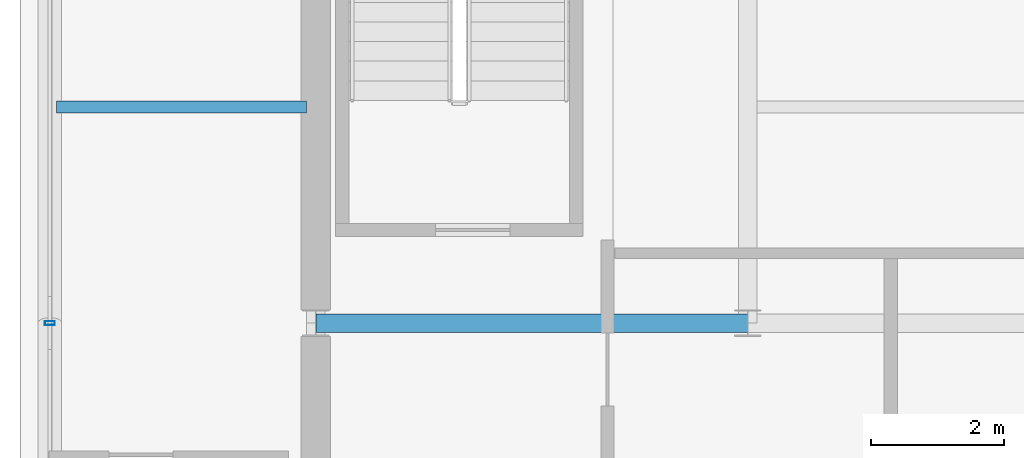
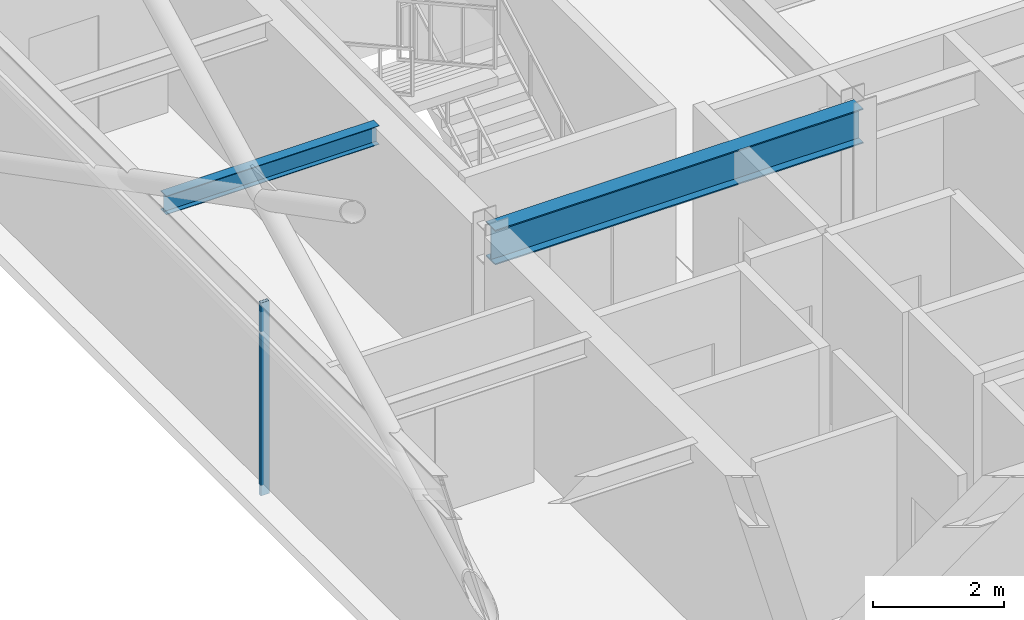
# One storey, part 10 of 28: 2 beams, 1 member, 1 element without a shape of its own.
"""IFC4 building model written with IfcOpenShell, lengths in metres."""

from ifc_helpers import new_model, si_unit, direction, frame, origin, origin_2d, place, context, subcontext, project, spatial, hollow_rectangle, i_section, extrude, material, layer, layer_set, material_profile, profile_set, type_object, element, aggregate, save


model = new_model("IFC4")

# Units and contexts
model_context = context("Model", 3, precision=1e-05, world=origin(), true_north=direction((0.0, 1.0)))
body_context = subcontext(model_context, "Body", "Model", "MODEL_VIEW")
ifc_project = project(units=[si_unit("LENGTHUNIT", "METRE"), si_unit("AREAUNIT", "SQUARE_METRE"), si_unit("VOLUMEUNIT", "CUBIC_METRE"), si_unit("PLANEANGLEUNIT", "RADIAN"), si_unit("MASSUNIT", "GRAM", prefix="KILO")], contexts=[model_context])

# Site, building, storey
site_placement = place(None, origin())
site = spatial("IfcSite", under=ifc_project, at=site_placement, CompositionType="ELEMENT")
building_placement = place(site_placement, origin())
building = spatial("IfcBuilding", under=site, at=building_placement, Name="Brelmoor Portico Tower", CompositionType="ELEMENT")
storey_placement = place(building_placement, frame((0.0, 0.0, 225.60009765625)))
storey = spatial("IfcBuildingStorey", under=building, at=storey_placement, Name="L59", CompositionType="ELEMENT", Elevation=225.60009765625)

# Beams
ifc_material_1 = material(Name="Steel Q355B", Category="steel")
ifc_material_profile_1 = material_profile(ifc_material_1, i_section(OverallWidth=0.175048828125, OverallDepth=0.35009765625, WebThickness=0.007080078125, FlangeThickness=0.010986328125, at=origin_2d()), Name="HN 350x175x7x11")
ifc_profile_set_1 = profile_set([ifc_material_profile_1], Name="Steel Q355B")
beam_type_1 = type_object("IfcBeamType", Name="BM-JS-350", PredefinedType="JOIST", material=ifc_profile_set_1)
beam_1_placement = place(storey_placement, frame((-18.449951171875, 3.25, 3.224853515625), z_axis=(1.0, 0.0, 0.0), x_axis=(0.0, 1.0, 0.0)))
element("IfcBeam", 1, at=beam_1_placement, inside=storey, type_object=beam_type_1, Name="L59 Secondary Wing Joist JS-W09", PredefinedType="JOIST", context=body_context, shape_type="SweptSolid", body=[
    extrude(i_section(OverallWidth=0.175048828125, OverallDepth=0.35009765625, WebThickness=0.007080078125, FlangeThickness=0.010986328125, at=origin_2d()), origin(), (0.0, 0.0, 1.0), 3.760009765625),
])
ifc_material_profile_2 = material_profile(ifc_material_1, i_section(OverallWidth=0.280029296875, OverallDepth=0.64990234375, WebThickness=0.012939453125, FlangeThickness=0.02197265625, at=origin_2d()), Name="HN 650x280x13x22")
ifc_profile_set_2 = profile_set([ifc_material_profile_2], Name="Steel Q355B")
beam_type_2 = type_object("IfcBeamType", Name="BM-PG-650", PredefinedType="BEAM", material=ifc_profile_set_2)
beam_2_placement = place(storey_placement, frame((-14.550048828125, 0.0, 3.074951171875), z_axis=(1.0, 0.0, 0.0), x_axis=(0.0, 1.0, 0.0)))
element("IfcBeam", 2, at=beam_2_placement, inside=storey, type_object=beam_type_2, Name="L59 Primary Floor Girder PG-16", PredefinedType="BEAM", context=body_context, shape_type="SweptSolid", body=[
    extrude(i_section(OverallWidth=0.280029296875, OverallDepth=0.64990234375, WebThickness=0.012939453125, FlangeThickness=0.02197265625, at=origin_2d()), origin(), (0.0, 0.0, 1.0), 6.5),
])

# Curtain wall, member
ifc_material_2 = material(Name="Anodised Aluminium Alloy 6063-T6", Category="aluminium")
ifc_layer = layer(ifc_material_2, 0.179931640625)
ifc_layer_set = layer_set([ifc_layer], Name="Anodised Aluminium Alloy 6063-T6")
curtain_wall_type = type_object("IfcCurtainWallType", Name="CW-TOWER-Z4-XB", PredefinedType="NOTDEFINED", material=ifc_layer_set)
curtain_wall_placement = place(storey_placement, origin())
curtain_wall = element("IfcCurtainWall", 3, at=curtain_wall_placement, inside=storey, type_object=curtain_wall_type, Name="L59 Curtain Wall CW-L59-03-2", PredefinedType="NOTDEFINED")
ifc_material_profile_3 = material_profile(ifc_material_2, hollow_rectangle(XDim=0.06005859375, YDim=0.14990234375, WallThickness=0.00390625, at=origin_2d()), Name="ALU MULLION 60x150")
ifc_profile_set_3 = profile_set([ifc_material_profile_3], Name="Anodised Aluminium Alloy 6063-T6")
member_type = type_object("IfcMemberType", Name="MB-CW-MULL-150", PredefinedType="MULLION", material=ifc_profile_set_3)
member_placement = place(storey_placement, frame((-18.550048828125, 0.0, -0.2001953125), z_axis=(0.0, 0.0, 1.0), x_axis=(0.0, 1.0, 0.0)))
member = element("IfcMember", 4, at=member_placement, type_object=member_type, Name="CW-L59-03-2 Mullion 01", PredefinedType="MULLION", context=body_context, shape_type="SweptSolid", body=[
    extrude(hollow_rectangle(XDim=0.06005859375, YDim=0.14990234375, WallThickness=0.00390625, at=origin_2d()), origin(), (0.0, 0.0, 1.0), 3.60009765625),
])
aggregate(curtain_wall, [member])

save(model, "model.ifc")
